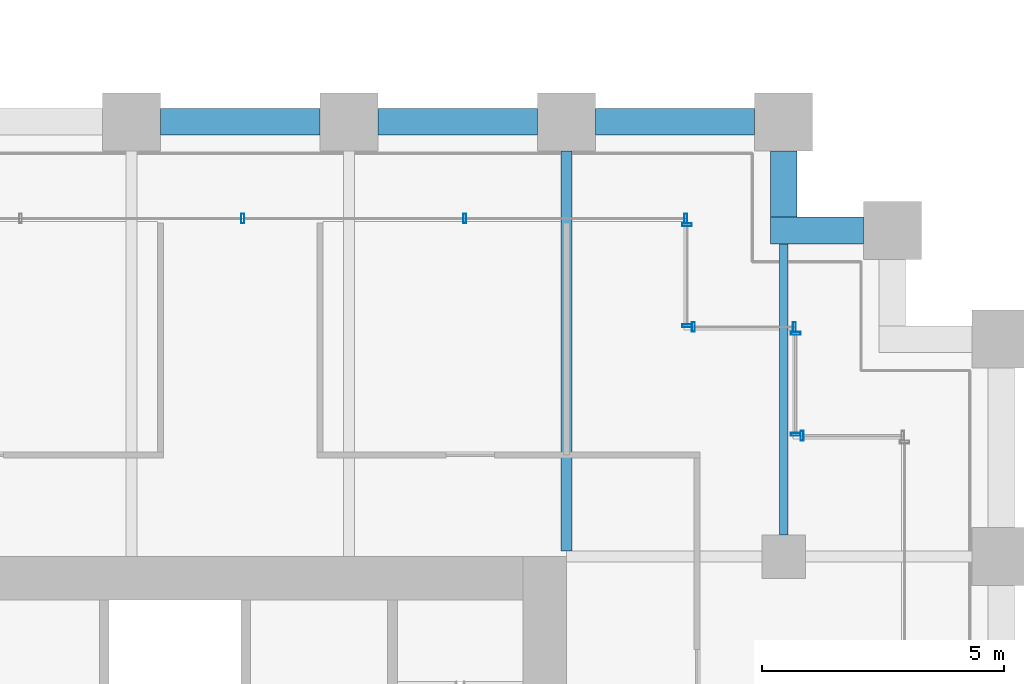
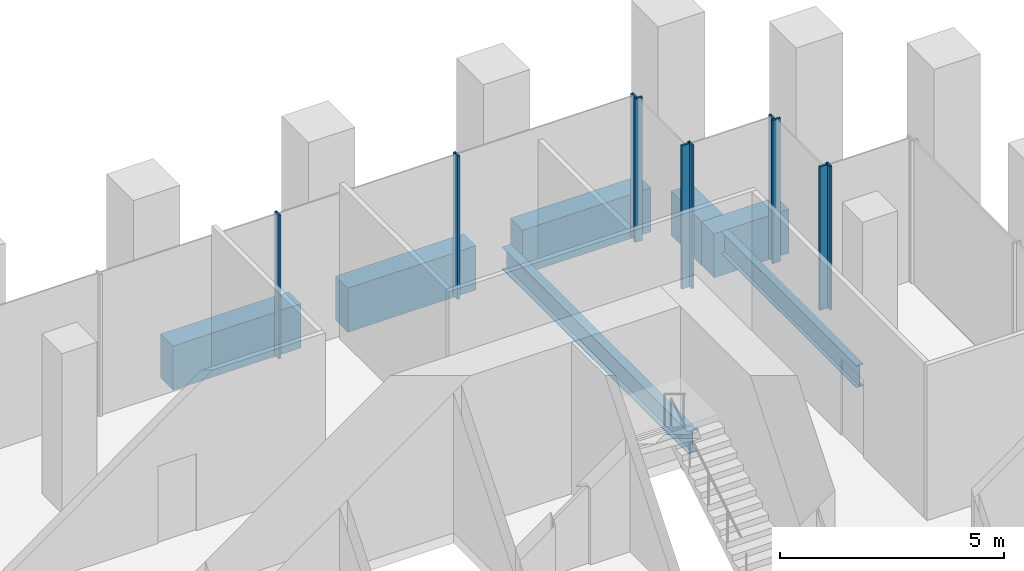
# One storey, part 25 of 36: 10 members, 7 beams, 5 elements without a shape of their own.
"""IFC4 building model written with IfcOpenShell, lengths in metres."""

from ifc_helpers import new_model, si_unit, direction, frame, origin, origin_2d, place, context, subcontext, project, spatial, rectangle, hollow_rectangle, i_section, extrude, material, material_profile, profile_set, type_object, element, aggregate, save


model = new_model("IFC4")

# Units and contexts
model_context = context("Model", 3, precision=1e-05, world=origin(), true_north=direction((0.0, 1.0)))
body_context = subcontext(model_context, "Body", "Model", "MODEL_VIEW")
ifc_project = project(units=[si_unit("LENGTHUNIT", "METRE"), si_unit("AREAUNIT", "SQUARE_METRE"), si_unit("VOLUMEUNIT", "CUBIC_METRE"), si_unit("PLANEANGLEUNIT", "RADIAN"), si_unit("MASSUNIT", "GRAM", prefix="KILO")], contexts=[model_context])

# Site, building, storey
site_placement = place(None, origin())
site = spatial("IfcSite", under=ifc_project, at=site_placement, CompositionType="ELEMENT")
building_placement = place(site_placement, origin())
building = spatial("IfcBuilding", under=site, at=building_placement, Name="Altepetl Exchange Towers", CompositionType="ELEMENT")
storey_placement = place(building_placement, frame((0.0, 0.0, 34.199951171875)))
storey = spatial("IfcBuildingStorey", under=building, at=storey_placement, Name="L07", CompositionType="ELEMENT", Elevation=34.199951171875)

# Beams
ifc_material_1 = material(Name="Steel S355", Category="steel")
ifc_material_profile_1 = material_profile(ifc_material_1, i_section(OverallWidth=0.178955078125, OverallDepth=0.60302734375, WebThickness=0.010986328125, FlangeThickness=0.014892578125, at=origin_2d()), Name="W24X62")
ifc_profile_set_1 = profile_set([ifc_material_profile_1], Name="Steel S355")
beam_type_1 = type_object("IfcBeamType", Name="Floor beam W24X62", PredefinedType="BEAM", material=ifc_profile_set_1)
beam_1_placement = place(storey_placement, frame((121.5, 49.949951171875, -0.4765625), z_axis=(0.0, 1.0, 0.0), x_axis=(-1.0, 0.0, 0.0)))
element("IfcBeam", 1, at=beam_1_placement, inside=storey, type_object=beam_type_1, Name="bm:B:L07:003", PredefinedType="BEAM", context=body_context, shape_type="SweptSolid", body=[
    extrude(i_section(OverallWidth=0.178955078125, OverallDepth=0.60302734375, WebThickness=0.010986328125, FlangeThickness=0.014892578125, at=origin_2d()), origin(), (0.0, 0.0, 1.0), 6.025146484375),
])
ifc_material_profile_2 = material_profile(ifc_material_1, i_section(OverallWidth=0.22900390625, OverallDepth=0.612060546875, WebThickness=0.011962890625, FlangeThickness=0.01953125, at=origin_2d()), Name="W24X84")
ifc_profile_set_2 = profile_set([ifc_material_profile_2], Name="Steel S355")
beam_type_2 = type_object("IfcBeamType", Name="Floor beam W24X84", PredefinedType="BEAM", material=ifc_profile_set_2)
beam_2_placement = place(storey_placement, frame((117.0, 49.614013671875, -0.48095703125), z_axis=(0.0, 1.0, 0.0), x_axis=(-1.0, 0.0, 0.0)))
element("IfcBeam", 2, at=beam_2_placement, inside=storey, type_object=beam_type_2, Name="bm:B:L07:002", PredefinedType="BEAM", context=body_context, shape_type="SweptSolid", body=[
    extrude(i_section(OverallWidth=0.22900390625, OverallDepth=0.612060546875, WebThickness=0.011962890625, FlangeThickness=0.01953125, at=origin_2d()), origin(), (0.0, 0.0, 1.0), 8.285888671875),
])

# Curtain wall, member
ifc_material_2 = material(Name="Aluminium 6063-T6 glazing", Category="aluminium")
curtain_wall_type = type_object("IfcCurtainWallType", Name="Trading floor glazing system", PredefinedType="NOTDEFINED", material=ifc_material_2)
curtain_wall_1_placement = place(storey_placement, origin())
curtain_wall_1 = element("IfcCurtainWall", 3, at=curtain_wall_1_placement, inside=storey, type_object=curtain_wall_type, Name="CW2 run", PredefinedType="NOTDEFINED")
ifc_material_3 = material(Name="Aluminium 6063-T6", Category="aluminium")
ifc_material_profile_3 = material_profile(ifc_material_3, hollow_rectangle(XDim=0.06005859375, YDim=0.199951171875, WallThickness=0.0029296875, at=origin_2d()), Name="Mullion 60x200 aluminium")
ifc_profile_set_3 = profile_set([ifc_material_profile_3], Name="Aluminium 6063-T6")
member_type = type_object("IfcMemberType", Name="Mullion 60x200 aluminium", PredefinedType="MULLION", material=ifc_profile_set_3)
member_1_placement = place(storey_placement, frame((121.8798828125, 52.0, 0.0), z_axis=(0.0, 0.0, 1.0), x_axis=(-1.0, 0.0, 0.0)))
member_1 = element("IfcMember", 4, at=member_1_placement, type_object=member_type, Name="MU2 mullion", PredefinedType="MULLION", context=body_context, shape_type="SweptSolid", body=[
    extrude(hollow_rectangle(XDim=0.06005859375, YDim=0.199951171875, WallThickness=0.0029296875, at=origin_2d()), origin(), (0.0, 0.0, 1.0), 3.900146484375),
])
aggregate(curtain_wall_1, [member_1])

# Curtain wall, members
curtain_wall_2_placement = place(storey_placement, origin())
curtain_wall_2 = element("IfcCurtainWall", 5, at=curtain_wall_2_placement, inside=storey, type_object=curtain_wall_type, Name="CW2 run", PredefinedType="NOTDEFINED")
member_2_placement = place(storey_placement, frame((121.75, 52.030029296875, 0.0), z_axis=(0.0, 0.0, 1.0), x_axis=(0.0, 1.0, 0.0)))
member_2 = element("IfcMember", 6, at=member_2_placement, type_object=member_type, Name="MU2 mullion", PredefinedType="MULLION", context=body_context, shape_type="SweptSolid", body=[
    extrude(hollow_rectangle(XDim=0.06005859375, YDim=0.199951171875, WallThickness=0.0029296875, at=origin_2d()), origin(), (0.0, 0.0, 1.0), 3.900146484375),
])
member_3_placement = place(storey_placement, frame((121.75, 54.1201171875, 0.0), z_axis=(0.0, 0.0, 1.0), x_axis=(0.0, 1.0, 0.0)))
member_3 = element("IfcMember", 7, at=member_3_placement, type_object=member_type, Name="MU2 mullion", PredefinedType="MULLION", context=body_context, shape_type="SweptSolid", body=[
    extrude(hollow_rectangle(XDim=0.06005859375, YDim=0.199951171875, WallThickness=0.0029296875, at=origin_2d()), origin(), (0.0, 0.0, 1.0), 3.900146484375),
])
aggregate(curtain_wall_2, [member_2, member_3])

curtain_wall_3_placement = place(storey_placement, origin())
curtain_wall_3 = element("IfcCurtainWall", 8, at=curtain_wall_3_placement, inside=storey, type_object=curtain_wall_type, Name="CW2 run", PredefinedType="NOTDEFINED")
member_4_placement = place(storey_placement, frame((121.719970703125, 54.25, 0.0), z_axis=(0.0, 0.0, 1.0), x_axis=(-1.0, 0.0, 0.0)))
member_4 = element("IfcMember", 9, at=member_4_placement, type_object=member_type, Name="MU2 mullion", PredefinedType="MULLION", context=body_context, shape_type="SweptSolid", body=[
    extrude(hollow_rectangle(XDim=0.06005859375, YDim=0.199951171875, WallThickness=0.0029296875, at=origin_2d()), origin(), (0.0, 0.0, 1.0), 3.900146484375),
])
member_5_placement = place(storey_placement, frame((119.6298828125, 54.25, 0.0), z_axis=(0.0, 0.0, 1.0), x_axis=(-1.0, 0.0, 0.0)))
member_5 = element("IfcMember", 10, at=member_5_placement, type_object=member_type, Name="MU2 mullion", PredefinedType="MULLION", context=body_context, shape_type="SweptSolid", body=[
    extrude(hollow_rectangle(XDim=0.06005859375, YDim=0.199951171875, WallThickness=0.0029296875, at=origin_2d()), origin(), (0.0, 0.0, 1.0), 3.900146484375),
])
aggregate(curtain_wall_3, [member_4, member_5])

curtain_wall_4_placement = place(storey_placement, origin())
curtain_wall_4 = element("IfcCurtainWall", 11, at=curtain_wall_4_placement, inside=storey, type_object=curtain_wall_type, Name="CW2 run", PredefinedType="NOTDEFINED")
member_6_placement = place(storey_placement, frame((119.5, 54.280029296875, 0.0), z_axis=(0.0, 0.0, 1.0), x_axis=(0.0, 1.0, 0.0)))
member_6 = element("IfcMember", 12, at=member_6_placement, type_object=member_type, Name="MU2 mullion", PredefinedType="MULLION", context=body_context, shape_type="SweptSolid", body=[
    extrude(hollow_rectangle(XDim=0.06005859375, YDim=0.199951171875, WallThickness=0.0029296875, at=origin_2d()), origin(), (0.0, 0.0, 1.0), 3.900146484375),
])
member_7_placement = place(storey_placement, frame((119.5, 56.3701171875, 0.0), z_axis=(0.0, 0.0, 1.0), x_axis=(0.0, 1.0, 0.0)))
member_7 = element("IfcMember", 13, at=member_7_placement, type_object=member_type, Name="MU2 mullion", PredefinedType="MULLION", context=body_context, shape_type="SweptSolid", body=[
    extrude(hollow_rectangle(XDim=0.06005859375, YDim=0.199951171875, WallThickness=0.0029296875, at=origin_2d()), origin(), (0.0, 0.0, 1.0), 3.900146484375),
])
aggregate(curtain_wall_4, [member_6, member_7])

curtain_wall_5_placement = place(storey_placement, origin())
curtain_wall_5 = element("IfcCurtainWall", 14, at=curtain_wall_5_placement, inside=storey, type_object=curtain_wall_type, Name="CW2 run", PredefinedType="NOTDEFINED")
member_8_placement = place(storey_placement, frame((119.469970703125, 56.5, 0.0), z_axis=(0.0, 0.0, 1.0), x_axis=(-1.0, 0.0, 0.0)))
member_8 = element("IfcMember", 15, at=member_8_placement, type_object=member_type, Name="MU2 mullion", PredefinedType="MULLION", context=body_context, shape_type="SweptSolid", body=[
    extrude(hollow_rectangle(XDim=0.06005859375, YDim=0.199951171875, WallThickness=0.0029296875, at=origin_2d()), origin(), (0.0, 0.0, 1.0), 3.900146484375),
])
member_9_placement = place(storey_placement, frame((114.89990234375, 56.5, 0.0), z_axis=(0.0, 0.0, 1.0), x_axis=(-1.0, 0.0, 0.0)))
member_9 = element("IfcMember", 16, at=member_9_placement, type_object=member_type, Name="MU2 mullion", PredefinedType="MULLION", context=body_context, shape_type="SweptSolid", body=[
    extrude(hollow_rectangle(XDim=0.06005859375, YDim=0.199951171875, WallThickness=0.0029296875, at=origin_2d()), origin(), (0.0, 0.0, 1.0), 3.900146484375),
])
member_10_placement = place(storey_placement, frame((110.300048828125, 56.5, 0.0), z_axis=(0.0, 0.0, 1.0), x_axis=(-1.0, 0.0, 0.0)))
member_10 = element("IfcMember", 17, at=member_10_placement, type_object=member_type, Name="MU2 mullion", PredefinedType="MULLION", context=body_context, shape_type="SweptSolid", body=[
    extrude(hollow_rectangle(XDim=0.06005859375, YDim=0.199951171875, WallThickness=0.0029296875, at=origin_2d()), origin(), (0.0, 0.0, 1.0), 3.900146484375),
])
aggregate(curtain_wall_5, [member_8, member_9, member_10])

# Beams
ifc_material_4 = material(Name="Concrete C50/60 precast with cantera amarilla facing", Category="concrete")
ifc_material_profile_4 = material_profile(ifc_material_4, rectangle(XDim=0.550048828125, YDim=1.199951171875, at=origin_2d()), Name="550 x 1200")
ifc_profile_set_4 = profile_set([ifc_material_profile_4], Name="Concrete C50/60 precast with cantera amarilla facing")
beam_type_3 = type_object("IfcBeamType", Name="Spandrel beam 550x1200 cantera amarilla", PredefinedType="SPANDREL", material=ifc_profile_set_4)
beam_3_placement = place(storey_placement, frame((123.14990234375, 56.25, -0.77490234375), z_axis=(-1.0, 0.0, 0.0), x_axis=(0.0, -1.0, 0.0)))
element("IfcBeam", 18, at=beam_3_placement, inside=storey, type_object=beam_type_3, Name="sp:B:L07:016", PredefinedType="SPANDREL", context=body_context, shape_type="SweptSolid", body=[
    extrude(rectangle(XDim=0.550048828125, YDim=1.199951171875, at=origin_2d()), origin(), (0.0, 0.0, 1.0), 1.9248046875),
])
beam_4_placement = place(storey_placement, frame((121.5, 56.52490234375, -0.77490234375), z_axis=(0.0, 1.0, 0.0), x_axis=(-1.0, 0.0, 0.0)))
element("IfcBeam", 19, at=beam_4_placement, inside=storey, type_object=beam_type_3, Name="sp:B:L07:017", PredefinedType="SPANDREL", context=body_context, shape_type="SweptSolid", body=[
    extrude(rectangle(XDim=0.550048828125, YDim=1.199951171875, at=origin_2d()), origin(), (0.0, 0.0, 1.0), 1.375),
])
for number, where, z_axis, x_axis, name in (
    (20, (120.89990234375, 58.5, -0.77490234375), (-1.0, 0.0, 0.0), (0.0, -1.0, 0.0), "sp:B:L07:018"),
    (21, (116.39990234375, 58.5, -0.77490234375), (-1.0, 0.0, 0.0), (0.0, -1.0, 0.0), "sp:B:L07:019"),
    (22, (111.89990234375, 58.5, -0.77490234375), (-1.0, 0.0, 0.0), (0.0, -1.0, 0.0), "sp:B:L07:020"),
):
    element("IfcBeam", number, at=place(storey_placement, frame(where, z_axis=z_axis, x_axis=x_axis)), inside=storey, type_object=beam_type_3, Name=name, PredefinedType="SPANDREL", context=body_context, shape_type="SweptSolid", body=[
        extrude(rectangle(XDim=0.550048828125, YDim=1.199951171875, at=origin_2d()), origin(), (0.0, 0.0, 1.0), 3.2998046875),
    ])

save(model, "model.ifc")
